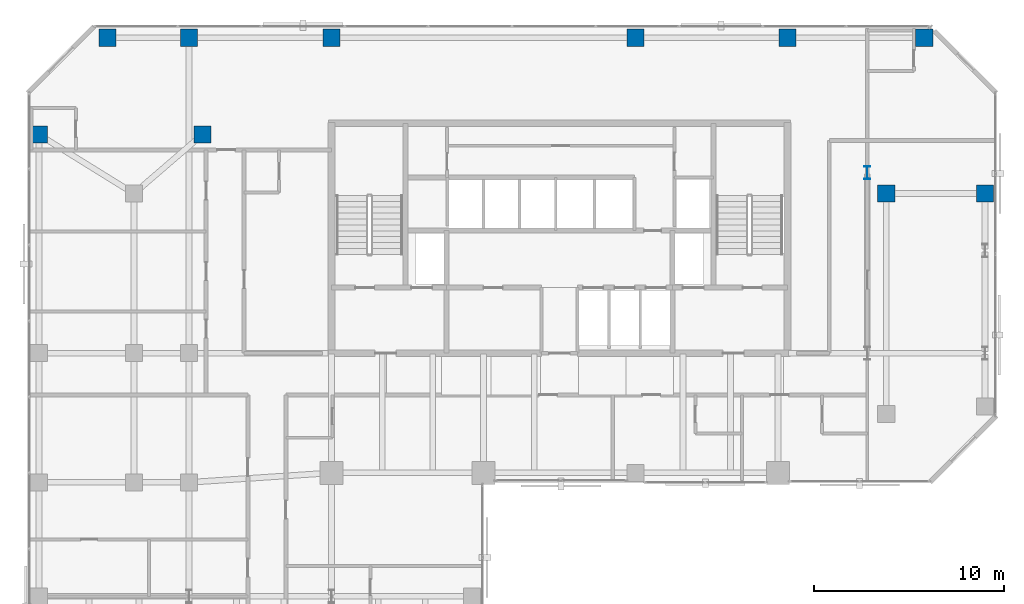
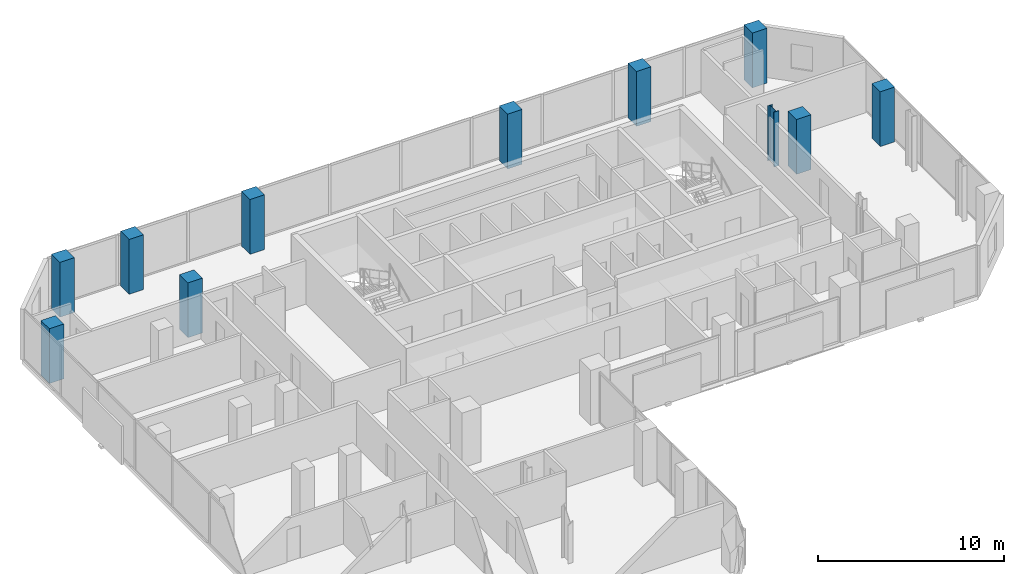
# One storey, part 2 of 34: 11 columns.
"""IFC4 building model written with IfcOpenShell, lengths in metres."""

from ifc_helpers import new_model, si_unit, direction, frame, origin, origin_2d, place, context, subcontext, project, spatial, rectangle, i_section, extrude, material, material_profile, profile_set, type_object, element, save


model = new_model("IFC4")

# Units and contexts
model_context = context("Model", 3, precision=1e-05, world=origin(), true_north=direction((0.0, 1.0)))
body_context = subcontext(model_context, "Body", "Model", "MODEL_VIEW")
ifc_project = project(units=[si_unit("LENGTHUNIT", "METRE"), si_unit("AREAUNIT", "SQUARE_METRE"), si_unit("VOLUMEUNIT", "CUBIC_METRE"), si_unit("PLANEANGLEUNIT", "RADIAN"), si_unit("MASSUNIT", "GRAM", prefix="KILO")], contexts=[model_context])

# Site, building, storey
site_placement = place(None, origin())
site = spatial("IfcSite", under=ifc_project, at=site_placement, CompositionType="ELEMENT")
building_placement = place(site_placement, origin())
building = spatial("IfcBuilding", under=site, at=building_placement, Name="Catumbela Crestline Tower", CompositionType="ELEMENT")
storey_placement = place(building_placement, frame((0.0, 0.0, 111.6)))
storey = spatial("IfcBuildingStorey", under=building, at=storey_placement, Name="L28", CompositionType="ELEMENT", Elevation=111.6)

# Columns
ifc_material_1 = material(Name="Concrete C50/60", Category="concrete")
ifc_material_profile_1 = material_profile(ifc_material_1, rectangle(XDim=0.9, YDim=0.9, at=origin_2d()), Name="RC 900x900")
ifc_profile_set_1 = profile_set([ifc_material_profile_1], Name="Concrete C50/60")
column_type_1 = type_object("IfcColumnType", Name="C-RC900-C50", PredefinedType="COLUMN", material=ifc_profile_set_1)
for number, where, z_axis, x_axis, name in (
    (1, (9.2, 42.3, 0.0), (0.0, 0.0, 1.0), (1.0, 0.0, 0.0), "L28 Column C-08-43 (RC 900x900)"),
    (2, (45.2, 39.2, 0.0), (0.0, 0.0, 1.0), (1.0, 0.0, 0.0), "L28 Column C-46-43 (RC 900x900)"),
    (3, (0.6, 42.3, 0.0), (0.0, 0.0, 1.0), (1.0, 0.0, 0.0), "L28 Column C-00-43 (RC 900x900)"),
    (4, (4.2, 47.4, 0.0), (0.0, 0.0, 1.0), (1.0, 0.0, 0.0), "L28 Column C-00-48 (RC 900x900)"),
    (5, (8.5, 47.4, 0.0), (0.0, 0.0, 1.0), (1.0, 0.0, 0.0), "L28 Column C-08-48 (RC 900x900)"),
    (6, (16.0, 47.4, 0.0), (0.0, 0.0, 1.0), (1.0, 0.0, 0.0), "L28 Column C-16-48 (RC 900x900)"),
    (7, (32.0, 47.4, 0.0), (0.0, 0.0, 1.0), (1.0, 0.0, 0.0), "L28 Column C-32-48 (RC 900x900)"),
    (8, (40.0, 47.4, 0.0), (0.0, 0.0, 1.0), (1.0, 0.0, 0.0), "L28 Column C-40-48 (RC 900x900)"),
    (9, (47.2, 47.4, 0.0), (0.0, 0.0, 1.0), (1.0, 0.0, 0.0), "L28 Column C-48-48 (RC 900x900)"),
    (10, (50.4, 39.2, 0.0), (0.0, 0.0, 1.0), (1.0, 0.0, 0.0), "L28 Column C-51-43 (RC 900x900)"),
):
    element("IfcColumn", number, at=place(storey_placement, frame(where, z_axis=z_axis, x_axis=x_axis)), inside=storey, type_object=column_type_1, Name=name, PredefinedType="COLUMN", context=body_context, shape_type="SweptSolid", body=[
        extrude(rectangle(XDim=0.9, YDim=0.9, at=origin_2d()), origin(), (0.0, 0.0, 1.0), 3.6),
    ])
ifc_material_2 = material(Name="Structural steel S460M", Category="steel")
ifc_material_profile_2 = material_profile(ifc_material_2, i_section(OverallWidth=0.3, OverallDepth=0.7, WebThickness=0.017, FlangeThickness=0.032, FilletRadius=0.027, at=origin_2d()), Name="HEB 700")
ifc_profile_set_2 = profile_set([ifc_material_profile_2], Name="Structural steel S460M")
column_type_2 = type_object("IfcColumnType", Name="C-ST-HEB700", PredefinedType="COLUMN", material=ifc_profile_set_2)
column_placement = place(storey_placement, frame((44.2, 40.3, 0.0), z_axis=(0.0, 0.0, 1.0), x_axis=(1.0, 0.0, 0.0)))
element("IfcColumn", 11, at=column_placement, inside=storey, type_object=column_type_2, Name="L28 Column CT-46-37 (HEB 700)", PredefinedType="COLUMN", context=body_context, shape_type="SweptSolid", body=[
    extrude(i_section(OverallWidth=0.3, OverallDepth=0.7, WebThickness=0.017, FlangeThickness=0.032, FilletRadius=0.027, at=origin_2d()), origin(), (0.0, 0.0, 1.0), 3.6),
])

save(model, "model.ifc")
